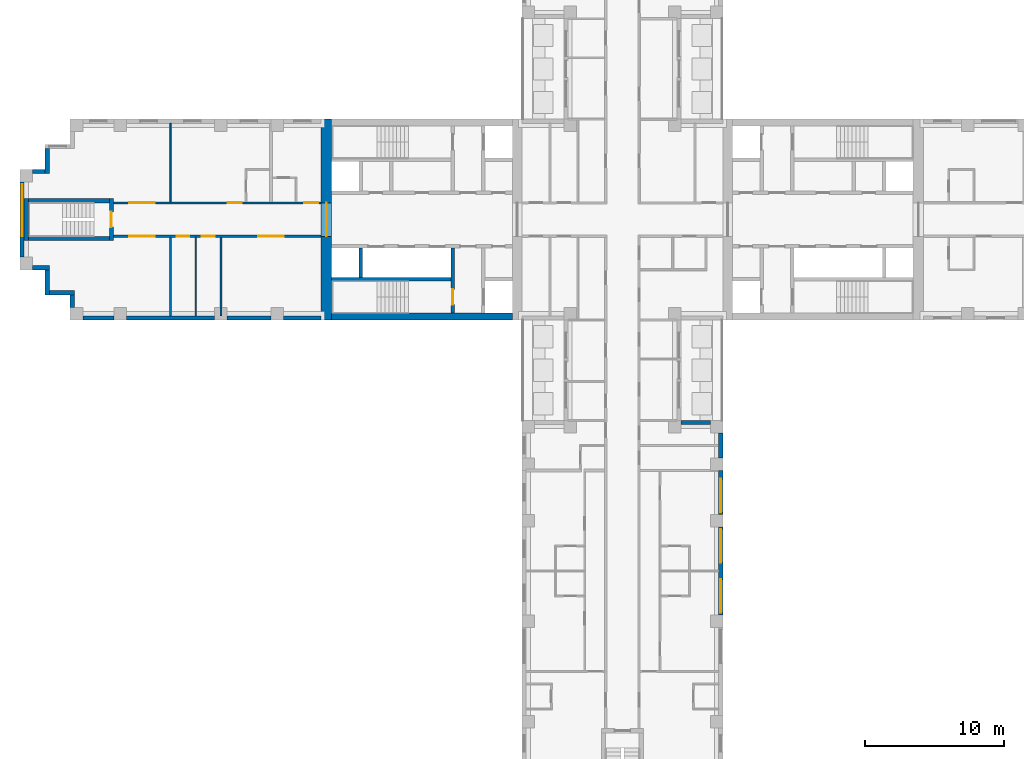
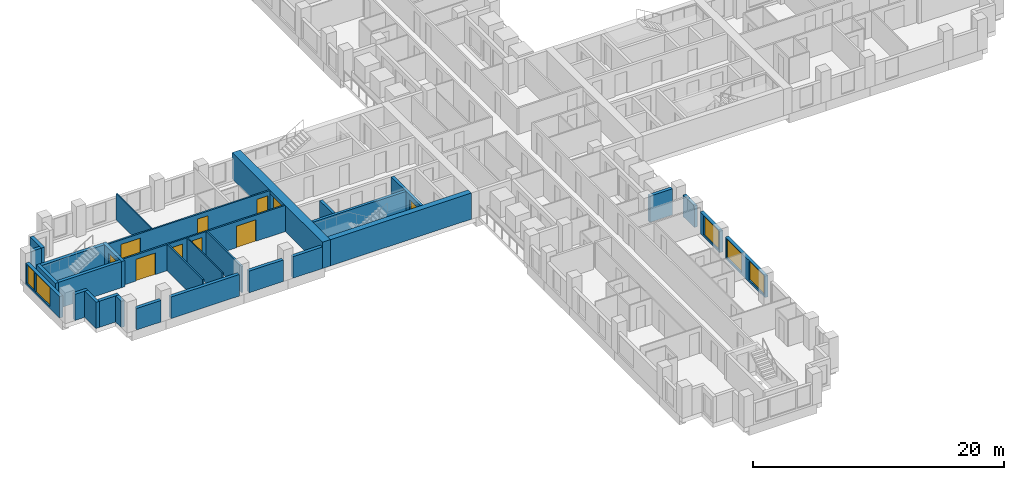
# One storey, part 5 of 15: 30 walls, 10 doors, 5 windows, 15 openings.
"""IFC4 building model written with IfcOpenShell, lengths in metres."""

from ifc_helpers import new_model, si_unit, direction, frame, frame_2d, origin, place, context, subcontext, project, spatial, rectangle, extrude, material, layer, layer_set, type_object, element, fill, save


model = new_model("IFC4")

# Units and contexts
model_context = context("Model", 3, precision=1e-05, world=origin(), true_north=direction((0.0, 1.0)))
body_context = subcontext(model_context, "Body", "Model", "MODEL_VIEW")
ifc_project = project(units=[si_unit("LENGTHUNIT", "METRE"), si_unit("AREAUNIT", "SQUARE_METRE"), si_unit("VOLUMEUNIT", "CUBIC_METRE"), si_unit("PLANEANGLEUNIT", "RADIAN"), si_unit("MASSUNIT", "GRAM", prefix="KILO")], contexts=[model_context])

# Site, building, storey
site_placement = place(None, origin())
site = spatial("IfcSite", under=ifc_project, at=site_placement, CompositionType="ELEMENT")
building_placement = place(site_placement, origin())
building = spatial("IfcBuilding", under=site, at=building_placement, Name="Fustian Cross Tower", CompositionType="ELEMENT")
storey_placement = place(building_placement, frame((0.0, 0.0, 59.699951171875)))
storey = spatial("IfcBuildingStorey", under=building, at=storey_placement, Name="L18", CompositionType="ELEMENT", Elevation=59.699951171875)

# Wall, openings, doors
ifc_material_1 = material(Name="Plasterboard on steel stud", Category="steel")
ifc_layer_1 = layer(ifc_material_1, 0.14990234375)
ifc_layer_set_1 = layer_set([ifc_layer_1], Name="Plasterboard on steel stud")
wall_type_1 = type_object("IfcWallType", Name="COMPARTMENT WALL 150 EI 60", PredefinedType="PARTITIONING", material=ifc_layer_set_1)
wall_1_placement = place(storey_placement, frame((-36.5, -1.199951171875, 0.0), z_axis=(0.0, 0.0, 1.0), x_axis=(1.0, 0.0, 0.0)))
wall_1 = element("IfcWall", 1, at=wall_1_placement, inside=storey, type_object=wall_type_1, Name="Partition 1", PredefinedType="PARTITIONING", context=body_context, shape_type="SweptSolid", body=[
    extrude(rectangle(XDim=14.89990234375, YDim=0.14990234375, at=frame_2d((7.449951171875, 0.0))), origin(), (0.0, 0.0, 1.0), 2.550048828125),
])
opening_1_placement = place(wall_1_placement, frame((10.39990234375, 0.0, 0.0)))
opening_1 = element("IfcOpeningElement", 2, at=opening_1_placement, cuts=wall_1, Name="Opening D09044", PredefinedType="OPENING", context=body_context, shape_type="SweptSolid", body=[
    extrude(rectangle(XDim=1.800048828125, YDim=2.10009765625, at=frame_2d((0.89990234375, 1.050048828125))), frame((0.0, 0.0849609375, 0.0), z_axis=(0.0, -1.0, 0.0), x_axis=(1.0, 0.0, 0.0)), (0.0, 0.0, 1.0), 0.169921875),
])
opening_2_placement = place(wall_1_placement, frame((6.35009765625, 0.0, 0.0)))
opening_2 = element("IfcOpeningElement", 3, at=opening_2_placement, cuts=wall_1, Name="Opening D09045", PredefinedType="OPENING", context=body_context, shape_type="SweptSolid", body=[
    extrude(rectangle(XDim=0.89990234375, YDim=2.10009765625, at=frame_2d((0.449951171875, 1.050048828125))), frame((0.0, 0.0849609375, 0.0), z_axis=(0.0, -1.0, 0.0), x_axis=(1.0, 0.0, 0.0)), (0.0, 0.0, 1.0), 0.169921875),
])
opening_3_placement = place(wall_1_placement, frame((4.550048828125, 0.0, 0.0)))
opening_3 = element("IfcOpeningElement", 4, at=opening_3_placement, cuts=wall_1, Name="Opening D09046", PredefinedType="OPENING", context=body_context, shape_type="SweptSolid", body=[
    extrude(rectangle(XDim=0.89990234375, YDim=2.10009765625, at=frame_2d((0.449951171875, 1.050048828125))), frame((0.0, 0.0849609375, 0.0), z_axis=(0.0, -1.0, 0.0), x_axis=(1.0, 0.0, 0.0)), (0.0, 0.0, 1.0), 0.169921875),
])
opening_4_placement = place(wall_1_placement, frame((1.14990234375, 0.0, 0.0)))
opening_4 = element("IfcOpeningElement", 5, at=opening_4_placement, cuts=wall_1, Name="Opening D09047", PredefinedType="OPENING", context=body_context, shape_type="SweptSolid", body=[
    extrude(rectangle(XDim=1.800048828125, YDim=2.10009765625, at=frame_2d((0.89990234375, 1.050048828125))), frame((0.0, 0.0849609375, 0.0), z_axis=(0.0, -1.0, 0.0), x_axis=(1.0, 0.0, 0.0)), (0.0, 0.0, 1.0), 0.169921875),
])
ifc_material_2 = material(Name="Timber fire door set", Category="wood")
door_type_1 = type_object("IfcDoorType", Name="FIRE DOUBLE DOOR 1800 FD30S", OperationType="DOUBLE_DOOR_DOUBLE_SWING", PredefinedType="DOOR", material=ifc_material_2)
door_1_placement = place(opening_1_placement, origin())
door_1 = element("IfcDoor", 6, at=door_1_placement, inside=storey, type_object=door_type_1, Name="Door D09044", OperationType="DOUBLE_DOOR_DOUBLE_SWING", OverallHeight=2.10009765625, OverallWidth=1.800048828125, PredefinedType="DOOR", context=body_context, shape_type="SweptSolid", body=[
    extrude(rectangle(XDim=1.800048828125, YDim=2.10009765625, at=frame_2d((0.89990234375, 1.050048828125))), frame((0.0, 0.02490234375, 0.0), z_axis=(0.0, -1.0, 0.0), x_axis=(1.0, 0.0, 0.0)), (0.0, 0.0, 1.0), 0.050048828125),
])
fill(opening_1, door_1)
door_2_placement = place(opening_4_placement, origin())
door_2 = element("IfcDoor", 7, at=door_2_placement, inside=storey, type_object=door_type_1, Name="Door D09047", OperationType="DOUBLE_DOOR_DOUBLE_SWING", OverallHeight=2.10009765625, OverallWidth=1.800048828125, PredefinedType="DOOR", context=body_context, shape_type="SweptSolid", body=[
    extrude(rectangle(XDim=1.800048828125, YDim=2.10009765625, at=frame_2d((0.89990234375, 1.050048828125))), frame((0.0, 0.02490234375, 0.0), z_axis=(0.0, -1.0, 0.0), x_axis=(1.0, 0.0, 0.0)), (0.0, 0.0, 1.0), 0.050048828125),
])
fill(opening_4, door_2)
ifc_material_3 = material(Name="Timber fire door set", Category="wood")
door_type_2 = type_object("IfcDoorType", Name="FIRE SWING DOOR 900 FD30S", OperationType="SINGLE_SWING_LEFT", PredefinedType="DOOR", material=ifc_material_3)
door_3_placement = place(opening_2_placement, frame((0.89990234375, 0.0, 0.0), z_axis=(0.0, 0.0, 1.0), x_axis=(-1.0, 0.0, 0.0)))
door_3 = element("IfcDoor", 8, at=door_3_placement, inside=storey, type_object=door_type_2, Name="Door D09045", OperationType="SINGLE_SWING_LEFT", OverallHeight=2.10009765625, OverallWidth=0.89990234375, PredefinedType="DOOR", context=body_context, shape_type="SweptSolid", body=[
    extrude(rectangle(XDim=0.89990234375, YDim=2.10009765625, at=frame_2d((0.449951171875, 1.050048828125))), frame((0.0, 0.02490234375, 0.0), z_axis=(0.0, -1.0, 0.0), x_axis=(1.0, 0.0, 0.0)), (0.0, 0.0, 1.0), 0.050048828125),
])
fill(opening_2, door_3)
door_4_placement = place(opening_3_placement, frame((0.89990234375, 0.0, 0.0), z_axis=(0.0, 0.0, 1.0), x_axis=(-1.0, 0.0, 0.0)))
door_4 = element("IfcDoor", 9, at=door_4_placement, inside=storey, type_object=door_type_2, Name="Door D09046", OperationType="SINGLE_SWING_LEFT", OverallHeight=2.10009765625, OverallWidth=0.89990234375, PredefinedType="DOOR", context=body_context, shape_type="SweptSolid", body=[
    extrude(rectangle(XDim=0.89990234375, YDim=2.10009765625, at=frame_2d((0.449951171875, 1.050048828125))), frame((0.0, 0.02490234375, 0.0), z_axis=(0.0, -1.0, 0.0), x_axis=(1.0, 0.0, 0.0)), (0.0, 0.0, 1.0), 0.050048828125),
])
fill(opening_3, door_4)

wall_2_placement = place(storey_placement, frame((-36.5, 1.199951171875, 0.0), z_axis=(0.0, 0.0, 1.0), x_axis=(1.0, 0.0, 0.0)))
wall_2 = element("IfcWall", 10, at=wall_2_placement, inside=storey, type_object=wall_type_1, Name="Partition 2", PredefinedType="PARTITIONING", context=body_context, shape_type="SweptSolid", body=[
    extrude(rectangle(XDim=14.89990234375, YDim=0.14990234375, at=frame_2d((7.449951171875, 0.0))), origin(), (0.0, 0.0, 1.0), 2.550048828125),
])
opening_5_placement = place(wall_2_placement, frame((13.699951171875, 0.0, 0.0)))
opening_5 = element("IfcOpeningElement", 11, at=opening_5_placement, cuts=wall_2, Name="Opening D09049", PredefinedType="OPENING", context=body_context, shape_type="SweptSolid", body=[
    extrude(rectangle(XDim=1.0, YDim=2.10009765625, at=frame_2d((0.5, 1.050048828125))), frame((0.0, 0.0849609375, 0.0), z_axis=(0.0, -1.0, 0.0), x_axis=(1.0, 0.0, 0.0)), (0.0, 0.0, 1.0), 0.169921875),
])
opening_6_placement = place(wall_2_placement, frame((8.18994140625, 0.0, 0.0)))
opening_6 = element("IfcOpeningElement", 12, at=opening_6_placement, cuts=wall_2, Name="Opening D09051", PredefinedType="OPENING", context=body_context, shape_type="SweptSolid", body=[
    extrude(rectangle(XDim=1.0, YDim=2.10009765625, at=frame_2d((0.5, 1.050048828125))), frame((0.0, 0.0849609375, 0.0), z_axis=(0.0, -1.0, 0.0), x_axis=(1.0, 0.0, 0.0)), (0.0, 0.0, 1.0), 0.169921875),
])
opening_7_placement = place(wall_2_placement, frame((1.14990234375, 0.0, 0.0)))
opening_7 = element("IfcOpeningElement", 13, at=opening_7_placement, cuts=wall_2, Name="Opening D09052", PredefinedType="OPENING", context=body_context, shape_type="SweptSolid", body=[
    extrude(rectangle(XDim=1.800048828125, YDim=2.10009765625, at=frame_2d((0.89990234375, 1.050048828125))), frame((0.0, 0.0849609375, 0.0), z_axis=(0.0, -1.0, 0.0), x_axis=(1.0, 0.0, 0.0)), (0.0, 0.0, 1.0), 0.169921875),
])
door_5_placement = place(opening_7_placement, frame((1.800048828125, 0.0, 0.0), z_axis=(0.0, 0.0, 1.0), x_axis=(-1.0, 0.0, 0.0)))
door_5 = element("IfcDoor", 14, at=door_5_placement, inside=storey, type_object=door_type_1, Name="Door D09052", OperationType="DOUBLE_DOOR_DOUBLE_SWING", OverallHeight=2.10009765625, OverallWidth=1.800048828125, PredefinedType="DOOR", context=body_context, shape_type="SweptSolid", body=[
    extrude(rectangle(XDim=1.800048828125, YDim=2.10009765625, at=frame_2d((0.89990234375, 1.050048828125))), frame((0.0, 0.02490234375, 0.0), z_axis=(0.0, -1.0, 0.0), x_axis=(1.0, 0.0, 0.0)), (0.0, 0.0, 1.0), 0.050048828125),
])
fill(opening_7, door_5)
ifc_material_4 = material(Name="Timber fire door set", Category="wood")
door_type_3 = type_object("IfcDoorType", Name="FIRE SWING DOOR 1000 FD30S", OperationType="SINGLE_SWING_LEFT", PredefinedType="DOOR", material=ifc_material_4)
door_6_placement = place(opening_5_placement, origin())
door_6 = element("IfcDoor", 15, at=door_6_placement, inside=storey, type_object=door_type_3, Name="Door D09049", OperationType="SINGLE_SWING_RIGHT", OverallHeight=2.10009765625, OverallWidth=1.0, PredefinedType="DOOR", context=body_context, shape_type="SweptSolid", body=[
    extrude(rectangle(XDim=1.0, YDim=2.10009765625, at=frame_2d((0.5, 1.050048828125))), frame((0.0, 0.02490234375, 0.0), z_axis=(0.0, -1.0, 0.0), x_axis=(1.0, 0.0, 0.0)), (0.0, 0.0, 1.0), 0.050048828125),
])
fill(opening_5, door_6)
door_7_placement = place(opening_6_placement, origin())
door_7 = element("IfcDoor", 16, at=door_7_placement, inside=storey, type_object=door_type_3, Name="Door D09051", OperationType="SINGLE_SWING_RIGHT", OverallHeight=2.10009765625, OverallWidth=1.0, PredefinedType="DOOR", context=body_context, shape_type="SweptSolid", body=[
    extrude(rectangle(XDim=1.0, YDim=2.10009765625, at=frame_2d((0.5, 1.050048828125))), frame((0.0, 0.02490234375, 0.0), z_axis=(0.0, -1.0, 0.0), x_axis=(1.0, 0.0, 0.0)), (0.0, 0.0, 1.0), 0.050048828125),
])
fill(opening_6, door_7)

# Walls
for number, where, z_axis, x_axis, name in (
    (17, (-32.39990234375, -6.89990234375, 0.0), (0.0, 0.0, 1.0), (0.0, 1.0, 0.0), "Partition 3"),
    (18, (-28.800048828125, -6.89990234375, 0.0), (0.0, 0.0, 1.0), (0.0, 1.0, 0.0), "Partition 6"),
):
    element("IfcWall", number, at=place(storey_placement, frame(where, z_axis=z_axis, x_axis=x_axis)), inside=storey, type_object=wall_type_1, Name=name, PredefinedType="PARTITIONING", context=body_context, shape_type="SweptSolid", body=[
        extrude(rectangle(XDim=5.625, YDim=0.14990234375, at=frame_2d((2.8125, 0.0))), origin(), (0.0, 0.0, 1.0), 2.550048828125),
    ])

# Wall, opening, door
ifc_material_5 = material(Name="Concrete C80/95", Category="concrete")
ifc_layer_2 = layer(ifc_material_5, 0.75)
ifc_layer_set_2 = layer_set([ifc_layer_2], Name="Concrete C80/95")
wall_type_2 = type_object("IfcWallType", Name="CORE END WALL 750 C80/95", PredefinedType="SHEAR", material=ifc_layer_set_2)
wall_3_placement = place(storey_placement, frame((-21.22509765625, -7.199951171875, 0.0), z_axis=(0.0, 0.0, 1.0), x_axis=(0.0, 1.0, 0.0)))
wall_3 = element("IfcWall", 19, at=wall_3_placement, inside=storey, type_object=wall_type_2, Name="Core end wall", PredefinedType="SHEAR", context=body_context, shape_type="SweptSolid", body=[
    extrude(rectangle(XDim=14.39990234375, YDim=0.75, at=frame_2d((7.199951171875, 0.0))), origin(), (0.0, 0.0, 1.0), 2.550048828125),
])
opening_8_placement = place(wall_3_placement, frame((6.0, 0.0, 0.0)))
opening_8 = element("IfcOpeningElement", 20, at=opening_8_placement, cuts=wall_3, Name="Opening CD-07-28", PredefinedType="OPENING", context=body_context, shape_type="SweptSolid", body=[
    extrude(rectangle(XDim=2.39990234375, YDim=2.199951171875, at=frame_2d((1.199951171875, 1.10009765625))), frame((0.0, 0.385009765625, 0.0), z_axis=(0.0, -1.0, 0.0), x_axis=(1.0, 0.0, 0.0)), (0.0, 0.0, 1.0), 0.77001953125),
])
ifc_material_6 = material(Name="Steel", Category="steel")
door_type_4 = type_object("IfcDoorType", Name="FIRE DOOR FD30S DOUBLE 2400X2200", OperationType="DOUBLE_DOOR_DOUBLE_SWING", PredefinedType="DOOR", material=ifc_material_6)
door_8_placement = place(opening_8_placement, frame((2.39990234375, 0.0, 0.0), z_axis=(0.0, 0.0, 1.0), x_axis=(-1.0, 0.0, 0.0)))
door_8 = element("IfcDoor", 21, at=door_8_placement, inside=storey, type_object=door_type_4, Name="Core door CD-07-28", OperationType="DOUBLE_DOOR_DOUBLE_SWING", OverallHeight=2.199951171875, OverallWidth=2.39990234375, PredefinedType="DOOR", context=body_context, shape_type="SweptSolid", body=[
    extrude(rectangle(XDim=2.39990234375, YDim=2.199951171875, at=frame_2d((1.199951171875, 1.10009765625))), frame((0.0, 0.02490234375, 0.0), z_axis=(0.0, -1.0, 0.0), x_axis=(1.0, 0.0, 0.0)), (0.0, 0.0, 1.0), 0.050048828125),
])
fill(opening_8, door_8)

# Walls
ifc_material_7 = material(Name="Concrete C80/95", Category="concrete")
ifc_layer_3 = layer(ifc_material_7, 0.5)
ifc_layer_set_3 = layer_set([ifc_layer_3], Name="Concrete C80/95")
wall_type_3 = type_object("IfcWallType", Name="CORE FACADE WALL 500 C80/95", PredefinedType="SHEAR", material=ifc_layer_set_3)
wall_4_placement = place(storey_placement, frame((-7.89990234375, -6.949951171875, 0.0), z_axis=(0.0, 0.0, 1.0), x_axis=(-1.0, 0.0, 0.0)))
element("IfcWall", 22, at=wall_4_placement, inside=storey, type_object=wall_type_3, Name="Core facade wall", PredefinedType="SHEAR", context=body_context, shape_type="SweptSolid", body=[
    extrude(rectangle(XDim=12.9501953125, YDim=0.5, at=frame_2d((6.47509765625, 0.0))), origin(), (0.0, 0.0, 1.0), 2.550048828125),
])
ifc_material_8 = material(Name="Concrete C50/60", Category="concrete")
ifc_layer_4 = layer(ifc_material_8, 0.25)
ifc_layer_set_4 = layer_set([ifc_layer_4], Name="Concrete C50/60")
wall_type_4 = type_object("IfcWallType", Name="CORE SHAFT WALL 250 C50/60", PredefinedType="SHEAR", material=ifc_layer_set_4)
wall_5_placement = place(storey_placement, frame((-12.300048828125, -4.27490234375, 0.0), z_axis=(0.0, 0.0, 1.0), x_axis=(-1.0, 0.0, 0.0)))
element("IfcWall", 23, at=wall_5_placement, inside=storey, type_object=wall_type_4, Name="Core shaft wall", PredefinedType="SHEAR", context=body_context, shape_type="SweptSolid", body=[
    extrude(rectangle(XDim=8.550048828125, YDim=0.25, at=frame_2d((4.27490234375, 0.0))), origin(), (0.0, 0.0, 1.0), 2.550048828125),
])

# Wall, opening, door
wall_6_placement = place(storey_placement, frame((-12.175048828125, -2.050048828125, 0.0), z_axis=(0.0, 0.0, 1.0), x_axis=(0.0, -1.0, 0.0)))
wall_6 = element("IfcWall", 24, at=wall_6_placement, inside=storey, type_object=wall_type_4, Name="Core shaft wall", PredefinedType="SHEAR", context=body_context, shape_type="SweptSolid", body=[
    extrude(rectangle(XDim=4.64990234375, YDim=0.25, at=frame_2d((2.324951171875, 0.0))), origin(), (0.0, 0.0, 1.0), 2.550048828125),
])
opening_9_placement = place(wall_6_placement, frame((2.949951171875, 0.0, 0.0)))
opening_9 = element("IfcOpeningElement", 25, at=opening_9_placement, cuts=wall_6, Name="Opening CD-07-22", PredefinedType="OPENING", context=body_context, shape_type="SweptSolid", body=[
    extrude(rectangle(XDim=1.10009765625, YDim=2.10009765625, at=frame_2d((0.550048828125, 1.050048828125))), frame((0.0, 0.135009765625, 0.0), z_axis=(0.0, -1.0, 0.0), x_axis=(1.0, 0.0, 0.0)), (0.0, 0.0, 1.0), 0.27001953125),
])
ifc_material_9 = material(Name="Steel", Category="steel")
door_type_5 = type_object("IfcDoorType", Name="FIRE DOOR FD60S 1100X2100", OperationType="SINGLE_SWING_LEFT", PredefinedType="DOOR", material=ifc_material_9)
door_9_placement = place(opening_9_placement, frame((1.10009765625, 0.0, 0.0), z_axis=(0.0, 0.0, 1.0), x_axis=(-1.0, 0.0, 0.0)))
door_9 = element("IfcDoor", 26, at=door_9_placement, inside=storey, type_object=door_type_5, Name="Core door CD-07-22", OperationType="SINGLE_SWING_RIGHT", OverallHeight=2.10009765625, OverallWidth=1.10009765625, PredefinedType="DOOR", context=body_context, shape_type="SweptSolid", body=[
    extrude(rectangle(XDim=1.10009765625, YDim=2.10009765625, at=frame_2d((0.550048828125, 1.050048828125))), frame((0.0, 0.02490234375, 0.0), z_axis=(0.0, -1.0, 0.0), x_axis=(1.0, 0.0, 0.0)), (0.0, 0.0, 1.0), 0.050048828125),
])
fill(opening_9, door_9)

# Walls
ifc_material_10 = material(Name="Plasterboard on steel stud", Category="steel")
ifc_layer_5 = layer(ifc_material_10, 0.10009765625)
ifc_layer_set_5 = layer_set([ifc_layer_5], Name="Plasterboard on steel stud")
wall_type_5 = type_object("IfcWallType", Name="PARTITION 100 STUD", PredefinedType="PARTITIONING", material=ifc_layer_set_5)
for number, where, z_axis, x_axis, name in (
    (27, (-32.39990234375, 1.27490234375, 0.0), (0.0, 0.0, 1.0), (0.0, 1.0, 0.0), "Partition 4"),
    (28, (-30.60009765625, -6.89990234375, 0.0), (0.0, 0.0, 1.0), (0.0, 1.0, 0.0), "Partition 5"),
):
    element("IfcWall", number, at=place(storey_placement, frame(where, z_axis=z_axis, x_axis=x_axis)), inside=storey, type_object=wall_type_5, Name=name, PredefinedType="PARTITIONING", context=body_context, shape_type="SweptSolid", body=[
        extrude(rectangle(XDim=5.625, YDim=0.10009765625, at=frame_2d((2.8125, 0.0))), origin(), (0.0, 0.0, 1.0), 2.550048828125),
    ])
ifc_material_11 = material(Name="Concrete C40/50", Category="concrete")
ifc_layer_6 = layer(ifc_material_11, 0.25)
ifc_layer_set_6 = layer_set([ifc_layer_6], Name="Concrete C40/50")
wall_type_6 = type_object("IfcWallType", Name="SHAFT PARTITION WALL 250 C40/50", PredefinedType="PARTITIONING", material=ifc_layer_set_6)
wall_7_placement = place(storey_placement, frame((-18.77490234375, -2.050048828125, 0.0), z_axis=(0.0, 0.0, 1.0), x_axis=(0.0, -1.0, 0.0)))
element("IfcWall", 29, at=wall_7_placement, inside=storey, type_object=wall_type_6, Name="Core shaft wall", PredefinedType="PARTITIONING", context=body_context, shape_type="SweptSolid", body=[
    extrude(rectangle(XDim=2.099853515625, YDim=0.25, at=frame_2d((1.0498046875, 0.0))), origin(), (0.0, 0.0, 1.0), 2.550048828125),
])

# Wall, opening, door
ifc_material_12 = material(Name="Concrete C50/60", Category="concrete")
ifc_layer_7 = layer(ifc_material_12, 0.300048828125)
ifc_layer_set_7 = layer_set([ifc_layer_7], Name="Concrete C50/60")
wall_type_7 = type_object("IfcWallType", Name="STAIR ENCLOSURE WALL 300 C50/60", PredefinedType="SHEAR", material=ifc_layer_set_7)
wall_8_placement = place(storey_placement, frame((-36.64990234375, -1.5, 0.0), z_axis=(0.0, 0.0, 1.0), x_axis=(0.0, 1.0, 0.0)))
wall_8 = element("IfcWall", 30, at=wall_8_placement, inside=storey, type_object=wall_type_7, Name="Stair enclosure wall", PredefinedType="SHEAR", context=body_context, shape_type="SweptSolid", body=[
    extrude(rectangle(XDim=3.0, YDim=0.300048828125, at=frame_2d((1.5, 0.0))), origin(), (0.0, 0.0, 1.0), 2.550048828125),
])
opening_10_placement = place(wall_8_placement, frame((0.949951171875, 0.0, 0.0)))
opening_10 = element("IfcOpeningElement", 31, at=opening_10_placement, cuts=wall_8, Name="Opening CD-07-34", PredefinedType="OPENING", context=body_context, shape_type="SweptSolid", body=[
    extrude(rectangle(XDim=1.10009765625, YDim=2.10009765625, at=frame_2d((0.550048828125, 1.050048828125))), frame((0.0, 0.159912109375, 0.0), z_axis=(0.0, -1.0, 0.0), x_axis=(1.0, 0.0, 0.0)), (0.0, 0.0, 1.0), 0.320068359375),
])
door_10_placement = place(opening_10_placement, origin())
door_10 = element("IfcDoor", 32, at=door_10_placement, inside=storey, type_object=door_type_5, Name="Core door CD-07-34", OperationType="SINGLE_SWING_LEFT", OverallHeight=2.10009765625, OverallWidth=1.10009765625, PredefinedType="DOOR", context=body_context, shape_type="SweptSolid", body=[
    extrude(rectangle(XDim=1.10009765625, YDim=2.10009765625, at=frame_2d((0.550048828125, 1.050048828125))), frame((0.0, 0.02490234375, 0.0), z_axis=(0.0, -1.0, 0.0), x_axis=(1.0, 0.0, 0.0)), (0.0, 0.0, 1.0), 0.050048828125),
])
fill(opening_10, door_10)

# Walls
wall_9_placement = place(storey_placement, frame((-42.75, -1.5, 0.0), z_axis=(0.0, 0.0, 1.0), x_axis=(0.0, 1.0, 0.0)))
element("IfcWall", 33, at=wall_9_placement, inside=storey, type_object=wall_type_7, Name="Stair enclosure wall", PredefinedType="SHEAR", context=body_context, shape_type="SweptSolid", body=[
    extrude(rectangle(XDim=3.0, YDim=0.300048828125, at=frame_2d((1.5, 0.0))), origin(), (0.0, 0.0, 1.0), 2.550048828125),
])
for number, where, z_axis, x_axis, name in (
    (34, (-36.800048828125, -1.35009765625, 0.0), (0.0, 0.0, 1.0), (-1.0, 0.0, 0.0), "Stair enclosure wall"),
    (35, (-36.800048828125, 1.35009765625, 0.0), (0.0, 0.0, 1.0), (-1.0, 0.0, 0.0), "Stair enclosure wall"),
):
    element("IfcWall", number, at=place(storey_placement, frame(where, z_axis=z_axis, x_axis=x_axis)), inside=storey, type_object=wall_type_7, Name=name, PredefinedType="SHEAR", context=body_context, shape_type="SweptSolid", body=[
        extrude(rectangle(XDim=5.800048828125, YDim=0.300048828125, at=frame_2d((2.89990234375, 0.0))), origin(), (0.0, 0.0, 1.0), 2.550048828125),
    ])
ifc_material_13 = material(Name="Dark aluminium cladding on insulated backing wall", Category="aluminium")
ifc_layer_8 = layer(ifc_material_13, 0.300048828125)
ifc_layer_set_8 = layer_set([ifc_layer_8], Name="Dark aluminium cladding on insulated backing wall")
wall_type_8 = type_object("IfcWallType", Name="XW1 EXTERNAL WALL 300", PredefinedType="SOLIDWALL", material=ifc_layer_set_8)
wall_10_placement = place(storey_placement, frame((-41.25, 5.10009765625, 0.0), z_axis=(0.0, 0.0, 1.0), x_axis=(0.0, -1.0, 0.0)))
element("IfcWall", 36, at=wall_10_placement, inside=storey, type_object=wall_type_8, Name="External wall", PredefinedType="SOLIDWALL", context=body_context, shape_type="SweptSolid", body=[
    extrude(rectangle(XDim=1.800048828125, YDim=0.300048828125, at=frame_2d((0.89990234375, 0.0))), origin(), (0.0, 0.0, 1.0), 2.550048828125),
])
wall_11_placement = place(storey_placement, frame((-41.39990234375, 3.449951171875, 0.0), z_axis=(0.0, 0.0, 1.0), x_axis=(-1.0, 0.0, 0.0)))
element("IfcWall", 37, at=wall_11_placement, inside=storey, type_object=wall_type_8, Name="External wall", PredefinedType="SOLIDWALL", context=body_context, shape_type="SweptSolid", body=[
    extrude(rectangle(XDim=0.900146484375, YDim=0.300048828125, at=frame_2d((0.4501953125, 0.0))), origin(), (0.0, 0.0, 1.0), 2.550048828125),
])

# Wall, openings, windows
wall_12_placement = place(storey_placement, frame((-43.050048828125, 2.699951171875, 0.0), z_axis=(0.0, 0.0, 1.0), x_axis=(0.0, -1.0, 0.0)))
wall_12 = element("IfcWall", 38, at=wall_12_placement, inside=storey, type_object=wall_type_8, Name="External wall", PredefinedType="SOLIDWALL", context=body_context, shape_type="SweptSolid", body=[
    extrude(rectangle(XDim=5.39990234375, YDim=0.300048828125, at=frame_2d((2.699951171875, 0.0))), origin(), (0.0, 0.0, 1.0), 2.10009765625),
])
opening_11_placement = place(wall_12_placement, frame((1.5, 0.0, 0.199951171875)))
opening_11 = element("IfcOpeningElement", 39, at=opening_11_placement, cuts=wall_12, Name="Opening WN1", PredefinedType="OPENING", context=body_context, shape_type="SweptSolid", body=[
    extrude(rectangle(XDim=2.39990234375, YDim=1.85009765625, at=frame_2d((1.199951171875, 0.925048828125))), frame((0.0, 0.159912109375, 0.0), z_axis=(0.0, -1.0, 0.0), x_axis=(1.0, 0.0, 0.0)), (0.0, 0.0, 1.0), 0.320068359375),
])
opening_12_placement = place(wall_12_placement, frame((0.14990234375, 0.0, 0.199951171875)))
opening_12 = element("IfcOpeningElement", 40, at=opening_12_placement, cuts=wall_12, Name="Opening WN3", PredefinedType="OPENING", context=body_context, shape_type="SweptSolid", body=[
    extrude(rectangle(XDim=1.199951171875, YDim=1.85009765625, at=frame_2d((0.60009765625, 0.925048828125))), frame((0.0, 0.159912109375, 0.0), z_axis=(0.0, -1.0, 0.0), x_axis=(1.0, 0.0, 0.0)), (0.0, 0.0, 1.0), 0.320068359375),
])
ifc_material_14 = material(Name="Dark anodised aluminium and double glazing", Category="aluminium")
window_type_1 = type_object("IfcWindowType", Name="WN1 WINDOW 2400X1850", PartitioningType="SINGLE_PANEL", PredefinedType="WINDOW", material=ifc_material_14)
window_1_placement = place(opening_11_placement, origin())
window_1 = element("IfcWindow", 41, at=window_1_placement, inside=storey, type_object=window_type_1, Name="Window", OverallHeight=1.85009765625, OverallWidth=2.39990234375, PartitioningType="SINGLE_PANEL", PredefinedType="WINDOW", context=body_context, shape_type="SweptSolid", body=[
    extrude(rectangle(XDim=2.39990234375, YDim=1.85009765625, at=frame_2d((1.199951171875, 0.925048828125))), frame((0.0, 0.030029296875, 0.0), z_axis=(0.0, -1.0, 0.0), x_axis=(1.0, 0.0, 0.0)), (0.0, 0.0, 1.0), 0.06005859375),
])
fill(opening_11, window_1)
ifc_material_15 = material(Name="Dark anodised aluminium and double glazing", Category="aluminium")
window_type_2 = type_object("IfcWindowType", Name="WN3 WINDOW 1200X1850", PartitioningType="SINGLE_PANEL", PredefinedType="WINDOW", material=ifc_material_15)
window_2_placement = place(opening_12_placement, origin())
window_2 = element("IfcWindow", 42, at=window_2_placement, inside=storey, type_object=window_type_2, Name="Window", OverallHeight=1.85009765625, OverallWidth=1.199951171875, PartitioningType="SINGLE_PANEL", PredefinedType="WINDOW", context=body_context, shape_type="SweptSolid", body=[
    extrude(rectangle(XDim=1.199951171875, YDim=1.85009765625, at=frame_2d((0.60009765625, 0.925048828125))), frame((0.0, 0.030029296875, 0.0), z_axis=(0.0, -1.0, 0.0), x_axis=(1.0, 0.0, 0.0)), (0.0, 0.0, 1.0), 0.06005859375),
])
fill(opening_12, window_2)

# Walls
wall_13_placement = place(storey_placement, frame((-42.300048828125, -3.449951171875, 0.0), z_axis=(0.0, 0.0, 1.0), x_axis=(1.0, 0.0, 0.0)))
element("IfcWall", 43, at=wall_13_placement, inside=storey, type_object=wall_type_8, Name="External wall", PredefinedType="SOLIDWALL", context=body_context, shape_type="SweptSolid", body=[
    extrude(rectangle(XDim=1.199951171875, YDim=0.300048828125, at=frame_2d((0.60009765625, 0.0))), origin(), (0.0, 0.0, 1.0), 2.550048828125),
])
wall_14_placement = place(storey_placement, frame((-41.25, -3.60009765625, 0.0), z_axis=(0.0, 0.0, 1.0), x_axis=(0.0, -1.0, 0.0)))
element("IfcWall", 44, at=wall_14_placement, inside=storey, type_object=wall_type_8, Name="External wall", PredefinedType="SOLIDWALL", context=body_context, shape_type="SweptSolid", body=[
    extrude(rectangle(XDim=1.7998046875, YDim=0.300048828125, at=frame_2d((0.89990234375, 0.0))), origin(), (0.0, 0.0, 1.0), 2.550048828125),
])
wall_15_placement = place(storey_placement, frame((-41.10009765625, -5.25, 0.0), z_axis=(0.0, 0.0, 1.0), x_axis=(1.0, 0.0, 0.0)))
element("IfcWall", 45, at=wall_15_placement, inside=storey, type_object=wall_type_8, Name="External wall", PredefinedType="SOLIDWALL", context=body_context, shape_type="SweptSolid", body=[
    extrude(rectangle(XDim=1.800048828125, YDim=0.300048828125, at=frame_2d((0.89990234375, 0.0))), origin(), (0.0, 0.0, 1.0), 2.550048828125),
])
wall_16_placement = place(storey_placement, frame((-39.449951171875, -5.39990234375, 0.0), z_axis=(0.0, 0.0, 1.0), x_axis=(0.0, -1.0, 0.0)))
element("IfcWall", 46, at=wall_16_placement, inside=storey, type_object=wall_type_8, Name="External wall", PredefinedType="SOLIDWALL", context=body_context, shape_type="SweptSolid", body=[
    extrude(rectangle(XDim=0.900146484375, YDim=0.300048828125, at=frame_2d((0.4501953125, 0.0))), origin(), (0.0, 0.0, 1.0), 2.550048828125),
])
wall_17_placement = place(storey_placement, frame((-38.699951171875, -7.050048828125, 0.0), z_axis=(0.0, 0.0, 1.0), x_axis=(1.0, 0.0, 0.0)))
element("IfcWall", 47, at=wall_17_placement, inside=storey, type_object=wall_type_8, Name="External wall", PredefinedType="SOLIDWALL", context=body_context, shape_type="SweptSolid", body=[
    extrude(rectangle(XDim=2.25, YDim=0.300048828125, at=frame_2d((1.125, 0.0))), origin(), (0.0, 0.0, 1.0), 2.10009765625),
])
wall_18_placement = place(storey_placement, frame((-35.550048828125, -7.050048828125, 0.0), z_axis=(0.0, 0.0, 1.0), x_axis=(1.0, 0.0, 0.0)))
element("IfcWall", 48, at=wall_18_placement, inside=storey, type_object=wall_type_8, Name="External wall", PredefinedType="SOLIDWALL", context=body_context, shape_type="SweptSolid", body=[
    extrude(rectangle(XDim=6.300048828125, YDim=0.300048828125, at=frame_2d((3.14990234375, 0.0))), origin(), (0.0, 0.0, 1.0), 2.10009765625),
])
wall_19_placement = place(storey_placement, frame((-28.35009765625, -7.050048828125, 0.0), z_axis=(0.0, 0.0, 1.0), x_axis=(1.0, 0.0, 0.0)))
element("IfcWall", 49, at=wall_19_placement, inside=storey, type_object=wall_type_8, Name="External wall", PredefinedType="SOLIDWALL", context=body_context, shape_type="SweptSolid", body=[
    extrude(rectangle(XDim=3.150146484375, YDim=0.300048828125, at=frame_2d((1.5751953125, 0.0))), origin(), (0.0, 0.0, 1.0), 2.10009765625),
])
wall_20_placement = place(storey_placement, frame((-24.300048828125, -7.050048828125, 0.0), z_axis=(0.0, 0.0, 1.0), x_axis=(1.0, 0.0, 0.0)))
element("IfcWall", 50, at=wall_20_placement, inside=storey, type_object=wall_type_8, Name="External wall", PredefinedType="SOLIDWALL", context=body_context, shape_type="SweptSolid", body=[
    extrude(rectangle(XDim=2.699951171875, YDim=0.300048828125, at=frame_2d((1.35009765625, 0.0))), origin(), (0.0, 0.0, 1.0), 2.10009765625),
])

# Wall, openings, windows
wall_21_placement = place(storey_placement, frame((7.050048828125, -28.35009765625, 0.0), z_axis=(0.0, 0.0, 1.0), x_axis=(0.0, 1.0, 0.0)))
wall_21 = element("IfcWall", 51, at=wall_21_placement, inside=storey, type_object=wall_type_8, Name="External wall", PredefinedType="SOLIDWALL", context=body_context, shape_type="SweptSolid", body=[
    extrude(rectangle(XDim=6.300048828125, YDim=0.300048828125, at=frame_2d((3.14990234375, 0.0))), origin(), (0.0, 0.0, 1.0), 2.10009765625),
])
opening_13_placement = place(wall_21_placement, frame((0.14990234375, 0.0, 0.199951171875)))
opening_13 = element("IfcOpeningElement", 52, at=opening_13_placement, cuts=wall_21, Name="Opening WN1", PredefinedType="OPENING", context=body_context, shape_type="SweptSolid", body=[
    extrude(rectangle(XDim=2.39990234375, YDim=1.85009765625, at=frame_2d((1.199951171875, 0.925048828125))), frame((0.0, 0.159912109375, 0.0), z_axis=(0.0, -1.0, 0.0), x_axis=(1.0, 0.0, 0.0)), (0.0, 0.0, 1.0), 0.320068359375),
])
opening_14_placement = place(wall_21_placement, frame((3.75, 0.0, 0.199951171875)))
opening_14 = element("IfcOpeningElement", 53, at=opening_14_placement, cuts=wall_21, Name="Opening WN1", PredefinedType="OPENING", context=body_context, shape_type="SweptSolid", body=[
    extrude(rectangle(XDim=2.39990234375, YDim=1.85009765625, at=frame_2d((1.199951171875, 0.925048828125))), frame((0.0, 0.159912109375, 0.0), z_axis=(0.0, -1.0, 0.0), x_axis=(1.0, 0.0, 0.0)), (0.0, 0.0, 1.0), 0.320068359375),
])
window_3_placement = place(opening_13_placement, origin())
window_3 = element("IfcWindow", 54, at=window_3_placement, inside=storey, type_object=window_type_1, Name="Window", OverallHeight=1.85009765625, OverallWidth=2.39990234375, PartitioningType="SINGLE_PANEL", PredefinedType="WINDOW", context=body_context, shape_type="SweptSolid", body=[
    extrude(rectangle(XDim=2.39990234375, YDim=1.85009765625, at=frame_2d((1.199951171875, 0.925048828125))), frame((0.0, 0.030029296875, 0.0), z_axis=(0.0, -1.0, 0.0), x_axis=(1.0, 0.0, 0.0)), (0.0, 0.0, 1.0), 0.06005859375),
])
fill(opening_13, window_3)
window_4_placement = place(opening_14_placement, origin())
window_4 = element("IfcWindow", 55, at=window_4_placement, inside=storey, type_object=window_type_1, Name="Window", OverallHeight=1.85009765625, OverallWidth=2.39990234375, PartitioningType="SINGLE_PANEL", PredefinedType="WINDOW", context=body_context, shape_type="SweptSolid", body=[
    extrude(rectangle(XDim=2.39990234375, YDim=1.85009765625, at=frame_2d((1.199951171875, 0.925048828125))), frame((0.0, 0.030029296875, 0.0), z_axis=(0.0, -1.0, 0.0), x_axis=(1.0, 0.0, 0.0)), (0.0, 0.0, 1.0), 0.06005859375),
])
fill(opening_14, window_4)

# Wall, opening, window
wall_22_placement = place(storey_placement, frame((7.050048828125, -21.14990234375, 0.0), z_axis=(0.0, 0.0, 1.0), x_axis=(0.0, 1.0, 0.0)))
wall_22 = element("IfcWall", 56, at=wall_22_placement, inside=storey, type_object=wall_type_8, Name="External wall", PredefinedType="SOLIDWALL", context=body_context, shape_type="SweptSolid", body=[
    extrude(rectangle(XDim=3.14990234375, YDim=0.300048828125, at=frame_2d((1.574951171875, 0.0))), origin(), (0.0, 0.0, 1.0), 2.10009765625),
])
opening_15_placement = place(wall_22_placement, frame((0.14990234375, 0.0, 0.199951171875)))
opening_15 = element("IfcOpeningElement", 57, at=opening_15_placement, cuts=wall_22, Name="Opening WN1", PredefinedType="OPENING", context=body_context, shape_type="SweptSolid", body=[
    extrude(rectangle(XDim=2.39990234375, YDim=1.85009765625, at=frame_2d((1.199951171875, 0.925048828125))), frame((0.0, 0.159912109375, 0.0), z_axis=(0.0, -1.0, 0.0), x_axis=(1.0, 0.0, 0.0)), (0.0, 0.0, 1.0), 0.320068359375),
])
window_5_placement = place(opening_15_placement, origin())
window_5 = element("IfcWindow", 58, at=window_5_placement, inside=storey, type_object=window_type_1, Name="Window", OverallHeight=1.85009765625, OverallWidth=2.39990234375, PartitioningType="SINGLE_PANEL", PredefinedType="WINDOW", context=body_context, shape_type="SweptSolid", body=[
    extrude(rectangle(XDim=2.39990234375, YDim=1.85009765625, at=frame_2d((1.199951171875, 0.925048828125))), frame((0.0, 0.030029296875, 0.0), z_axis=(0.0, -1.0, 0.0), x_axis=(1.0, 0.0, 0.0)), (0.0, 0.0, 1.0), 0.06005859375),
])
fill(opening_15, window_5)

# Walls
wall_23_placement = place(storey_placement, frame((7.050048828125, -17.10009765625, 0.0), z_axis=(0.0, 0.0, 1.0), x_axis=(0.0, 1.0, 0.0)))
element("IfcWall", 59, at=wall_23_placement, inside=storey, type_object=wall_type_8, Name="External wall", PredefinedType="SOLIDWALL", context=body_context, shape_type="SweptSolid", body=[
    extrude(rectangle(XDim=1.800048828125, YDim=0.300048828125, at=frame_2d((0.89990234375, 0.0))), origin(), (0.0, 0.0, 1.0), 2.10009765625),
])
wall_24_placement = place(storey_placement, frame((6.300048828125, -14.550048828125, 0.0), z_axis=(0.0, 0.0, 1.0), x_axis=(-1.0, 0.0, 0.0)))
element("IfcWall", 60, at=wall_24_placement, inside=storey, type_object=wall_type_8, Name="External wall", PredefinedType="SOLIDWALL", context=body_context, shape_type="SweptSolid", body=[
    extrude(rectangle(XDim=2.10009765625, YDim=0.300048828125, at=frame_2d((1.050048828125, 0.0))), origin(), (0.0, 0.0, 1.0), 2.550048828125),
])

save(model, "model.ifc")
